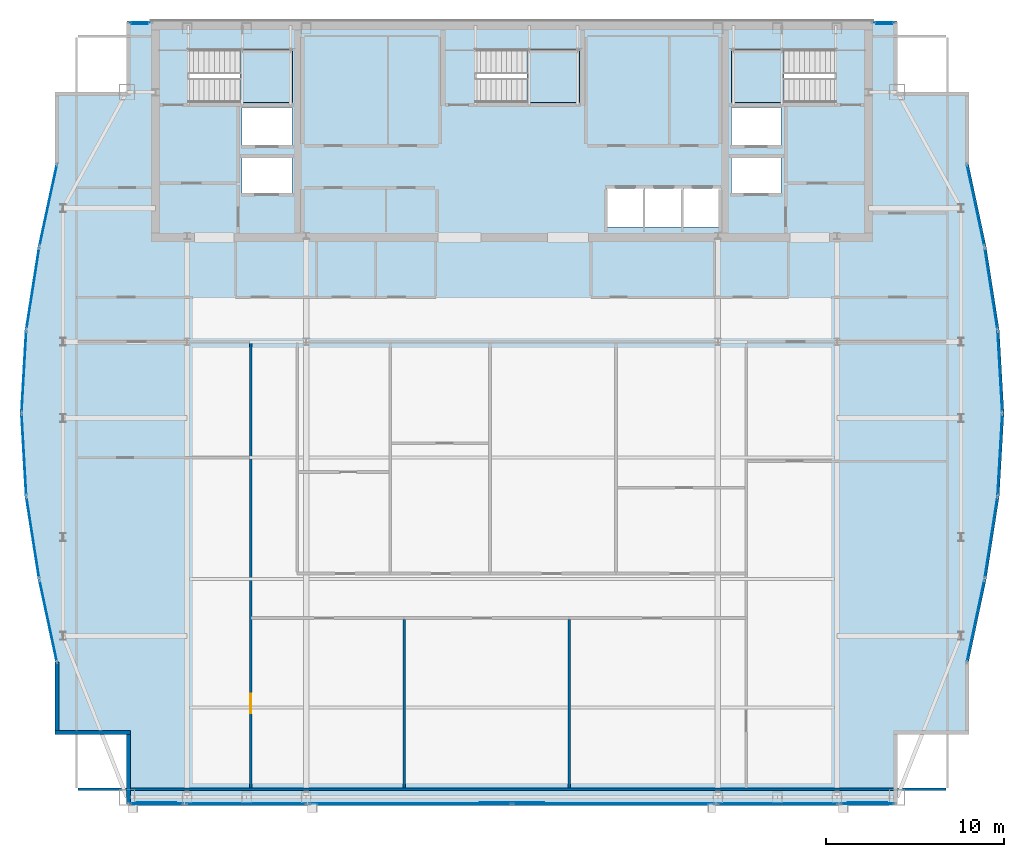
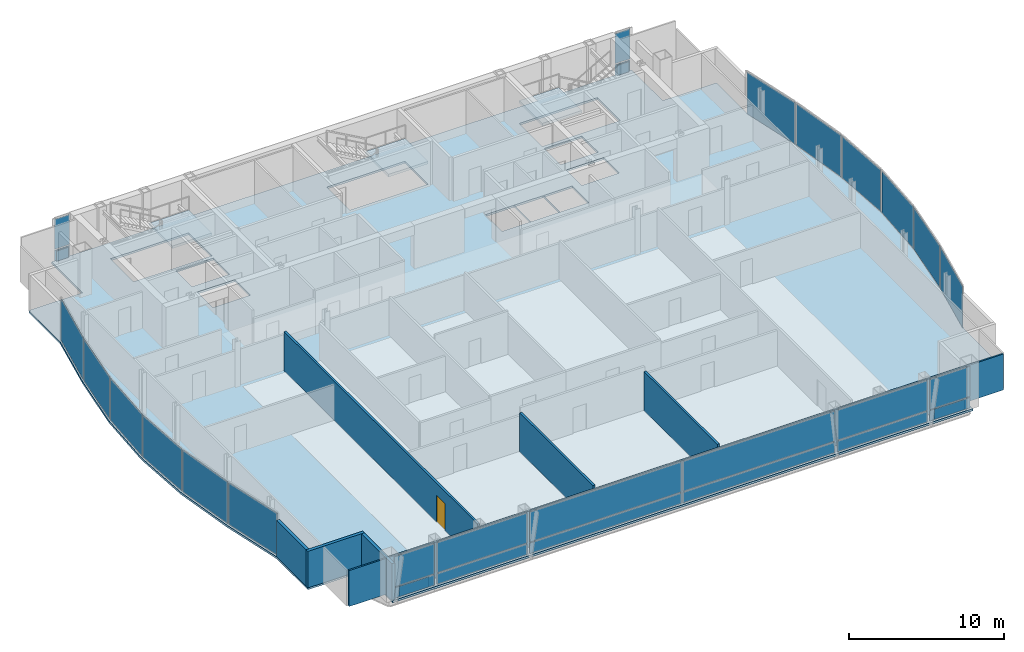
# One storey, part 23 of 29: 33 plates, 7 walls, 4 slabs, 1 door, 1 opening, 22 elements without a shape of their own.
"""IFC4 building model written with IfcOpenShell, lengths in metres."""

from ifc_helpers import new_model, si_unit, direction, frame, frame_2d, origin, origin_2d, place, context, subcontext, project, spatial, polyline, rectangle, outline, extrude, material, layer, layer_set, type_object, element, fill, aggregate, save


model = new_model("IFC4")

# Units and contexts
model_context = context("Model", 3, precision=1e-05, world=origin(), true_north=direction((0.0, 1.0)))
body_context = subcontext(model_context, "Body", "Model", "MODEL_VIEW")
ifc_project = project(units=[si_unit("LENGTHUNIT", "METRE"), si_unit("AREAUNIT", "SQUARE_METRE"), si_unit("VOLUMEUNIT", "CUBIC_METRE"), si_unit("PLANEANGLEUNIT", "RADIAN"), si_unit("MASSUNIT", "GRAM", prefix="KILO")], contexts=[model_context])

# Site, building, storey
site_placement = place(None, origin())
site = spatial("IfcSite", under=ifc_project, at=site_placement, CompositionType="ELEMENT")
building_placement = place(site_placement, origin())
building = spatial("IfcBuilding", under=site, at=building_placement, Name="Khoronbel Lancet Exchange", CompositionType="ELEMENT")
storey_placement = place(building_placement, frame((0.0, 0.0, 329.0)))
storey = spatial("IfcBuildingStorey", under=building, at=storey_placement, Name="L85", CompositionType="ELEMENT", Elevation=329.0)

# Curtain wall, plate
ifc_material_1 = material(Name="Low-E Solar Control Insulating Glass", Category="glass")
curtain_wall_type_1 = type_object("IfcCurtainWallType", Name="CW-4", PredefinedType="NOTDEFINED", material=ifc_material_1)
curtain_wall_1_placement = place(storey_placement, origin())
curtain_wall_1 = element("IfcCurtainWall", 1, at=curtain_wall_1_placement, inside=storey, type_object=curtain_wall_type_1, Name="Unitised curtain wall CW-L85-E05", PredefinedType="NOTDEFINED")
ifc_material_2 = material(Name="Bronze-Anodised Aluminium 6063-T6", Category="aluminium")
ifc_layer_1 = layer(ifc_material_2, 0.050048828125, Name="Bronze-Anodised Aluminium 6063-T6")
ifc_layer_set_1 = layer_set([ifc_layer_1], Name="Bronze-Anodised Aluminium 6063-T6")
plate_type_1 = type_object("IfcPlateType", Name="PLT-CSP1", PredefinedType="SHEET", material=ifc_layer_set_1)
plate_1_placement = place(storey_placement, frame((9.575927734375, 24.712890625, 0.0849609375), z_axis=(0.0, 0.0, 1.0), x_axis=(-0.154667919789, 0.987966514912, 0.0)))
plate_1 = element("IfcPlate", 2, at=plate_1_placement, type_object=plate_type_1, Name="CW4 panel 1.1", PredefinedType="CURTAIN_PANEL", context=body_context, shape_type="SweptSolid", body=[
    extrude(rectangle(XDim=4.566650390625, YDim=0.0380859375, at=origin_2d()), origin(), (0.0, 0.0, 1.0), 3.27001953125),
])
aggregate(curtain_wall_1, [plate_1])

curtain_wall_2_placement = place(storey_placement, origin())
curtain_wall_2 = element("IfcCurtainWall", 3, at=curtain_wall_2_placement, inside=storey, type_object=curtain_wall_type_1, Name="Unitised curtain wall CW-L85-E06", PredefinedType="NOTDEFINED")
plate_2_placement = place(storey_placement, frame((9.07763671875, 29.371337890625, 0.0849609375), z_axis=(0.0, 0.0, 1.0), x_axis=(-0.057216457355, 0.998361796649, 0.0)))
plate_2 = element("IfcPlate", 4, at=plate_2_placement, type_object=plate_type_1, Name="CW4 panel 1.1", PredefinedType="CURTAIN_PANEL", context=body_context, shape_type="SweptSolid", body=[
    extrude(rectangle(XDim=4.5146484375, YDim=0.0380859375, at=origin_2d()), origin(), (0.0, 0.0, 1.0), 3.27001953125),
])
aggregate(curtain_wall_2, [plate_2])

curtain_wall_3_placement = place(storey_placement, origin())
curtain_wall_3 = element("IfcCurtainWall", 5, at=curtain_wall_3_placement, inside=storey, type_object=curtain_wall_type_1, Name="Unitised curtain wall CW-L85-E07", PredefinedType="NOTDEFINED")
plate_3_placement = place(storey_placement, frame((9.07763671875, 34.028564453125, 0.0849609375), z_axis=(0.0, 0.0, 1.0), x_axis=(0.057216457355, 0.998361796649, 0.0)))
plate_3 = element("IfcPlate", 6, at=plate_3_placement, type_object=plate_type_1, Name="CW4 panel 1.1", PredefinedType="CURTAIN_PANEL", context=body_context, shape_type="SweptSolid", body=[
    extrude(rectangle(XDim=4.5146484375, YDim=0.0380859375, at=origin_2d()), origin(), (0.0, 0.0, 1.0), 3.27001953125),
])
aggregate(curtain_wall_3, [plate_3])

curtain_wall_4_placement = place(storey_placement, origin())
curtain_wall_4 = element("IfcCurtainWall", 7, at=curtain_wall_4_placement, inside=storey, type_object=curtain_wall_type_1, Name="Unitised curtain wall CW-L85-E08", PredefinedType="NOTDEFINED")
plate_4_placement = place(storey_placement, frame((9.575927734375, 38.68701171875, 0.0849609375), z_axis=(0.0, 0.0, 1.0), x_axis=(0.154667919789, 0.987966514912, 0.0)))
plate_4 = element("IfcPlate", 8, at=plate_4_placement, type_object=plate_type_1, Name="CW4 panel 1.1", PredefinedType="CURTAIN_PANEL", context=body_context, shape_type="SweptSolid", body=[
    extrude(rectangle(XDim=4.566650390625, YDim=0.0380859375, at=origin_2d()), origin(), (0.0, 0.0, 1.0), 3.27001953125),
])
aggregate(curtain_wall_4, [plate_4])

curtain_wall_type_2 = type_object("IfcCurtainWallType", Name="CW-3", PredefinedType="NOTDEFINED", material=ifc_material_1)
curtain_wall_5_placement = place(storey_placement, origin())
curtain_wall_5 = element("IfcCurtainWall", 9, at=curtain_wall_5_placement, inside=storey, type_object=curtain_wall_type_2, Name="Unitised curtain wall CW-L85-NWFLK", PredefinedType="NOTDEFINED")
plate_5_placement = place(storey_placement, frame((15.580078125, 53.550048828125, 0.0498046875), z_axis=(0.0, 0.0, 1.0), x_axis=(-1.0, 0.0, 0.0)))
plate_5 = element("IfcPlate", 10, at=plate_5_placement, type_object=plate_type_1, Name="Insulated bronze spandrel cassette CW-L85-NWFLK", PredefinedType="SHEET", context=body_context, shape_type="SweptSolid", body=[
    extrude(rectangle(XDim=0.89599609375, YDim=0.050048828125, at=origin_2d()), origin(), (0.0, 0.0, 1.0), 0.800048828125),
])

curtain_wall_6_placement = place(storey_placement, origin())
curtain_wall_6 = element("IfcCurtainWall", 11, at=curtain_wall_6_placement, inside=storey, type_object=curtain_wall_type_2, Name="Unitised curtain wall CW-L85-NEFLK", PredefinedType="NOTDEFINED")
plate_6_placement = place(storey_placement, frame((57.320068359375, 53.550048828125, 0.0498046875), z_axis=(0.0, 0.0, 1.0), x_axis=(-1.0, 0.0, 0.0)))
plate_6 = element("IfcPlate", 12, at=plate_6_placement, type_object=plate_type_1, Name="Insulated bronze spandrel cassette CW-L85-NEFLK", PredefinedType="SHEET", context=body_context, shape_type="SweptSolid", body=[
    extrude(rectangle(XDim=0.89599609375, YDim=0.050048828125, at=origin_2d()), origin(), (0.0, 0.0, 1.0), 0.800048828125),
])

curtain_wall_7_placement = place(storey_placement, origin())
curtain_wall_7 = element("IfcCurtainWall", 13, at=curtain_wall_7_placement, inside=storey, type_object=curtain_wall_type_1, Name="Unitised curtain wall CW-L85-E18", PredefinedType="NOTDEFINED")
plate_7_placement = place(storey_placement, frame((63.32421875, 38.68701171875, 0.0849609375), z_axis=(0.0, 0.0, 1.0), x_axis=(0.154667919789, -0.987966514912, 0.0)))
plate_7 = element("IfcPlate", 14, at=plate_7_placement, type_object=plate_type_1, Name="CW4 panel 1.1", PredefinedType="CURTAIN_PANEL", context=body_context, shape_type="SweptSolid", body=[
    extrude(rectangle(XDim=4.566650390625, YDim=0.0380859375, at=origin_2d()), origin(), (0.0, 0.0, 1.0), 3.27001953125),
])
aggregate(curtain_wall_7, [plate_7])

curtain_wall_8_placement = place(storey_placement, origin())
curtain_wall_8 = element("IfcCurtainWall", 15, at=curtain_wall_8_placement, inside=storey, type_object=curtain_wall_type_1, Name="Unitised curtain wall CW-L85-E19", PredefinedType="NOTDEFINED")
plate_8_placement = place(storey_placement, frame((63.822265625, 34.028564453125, 0.0849609375), z_axis=(0.0, 0.0, 1.0), x_axis=(0.057216457355, -0.998361796649, 0.0)))
plate_8 = element("IfcPlate", 16, at=plate_8_placement, type_object=plate_type_1, Name="CW4 panel 1.1", PredefinedType="CURTAIN_PANEL", context=body_context, shape_type="SweptSolid", body=[
    extrude(rectangle(XDim=4.5146484375, YDim=0.0380859375, at=origin_2d()), origin(), (0.0, 0.0, 1.0), 3.27001953125),
])
aggregate(curtain_wall_8, [plate_8])

curtain_wall_9_placement = place(storey_placement, origin())
curtain_wall_9 = element("IfcCurtainWall", 17, at=curtain_wall_9_placement, inside=storey, type_object=curtain_wall_type_1, Name="Unitised curtain wall CW-L85-E20", PredefinedType="NOTDEFINED")
plate_9_placement = place(storey_placement, frame((63.822265625, 29.371337890625, 0.0849609375), z_axis=(0.0, 0.0, 1.0), x_axis=(-0.057216457355, -0.998361796649, 0.0)))
plate_9 = element("IfcPlate", 18, at=plate_9_placement, type_object=plate_type_1, Name="CW4 panel 1.1", PredefinedType="CURTAIN_PANEL", context=body_context, shape_type="SweptSolid", body=[
    extrude(rectangle(XDim=4.5146484375, YDim=0.0380859375, at=origin_2d()), origin(), (0.0, 0.0, 1.0), 3.27001953125),
])
aggregate(curtain_wall_9, [plate_9])

curtain_wall_10_placement = place(storey_placement, origin())
curtain_wall_10 = element("IfcCurtainWall", 19, at=curtain_wall_10_placement, inside=storey, type_object=curtain_wall_type_1, Name="Unitised curtain wall CW-L85-E21", PredefinedType="NOTDEFINED")
plate_10_placement = place(storey_placement, frame((63.32421875, 24.712890625, 0.0849609375), z_axis=(0.0, 0.0, 1.0), x_axis=(-0.154667919789, -0.987966514912, 0.0)))
plate_10 = element("IfcPlate", 20, at=plate_10_placement, type_object=plate_type_1, Name="CW4 panel 1.1", PredefinedType="CURTAIN_PANEL", context=body_context, shape_type="SweptSolid", body=[
    extrude(rectangle(XDim=4.566650390625, YDim=0.0380859375, at=origin_2d()), origin(), (0.0, 0.0, 1.0), 3.27001953125),
])
aggregate(curtain_wall_10, [plate_10])

curtain_wall_11_placement = place(storey_placement, origin())
curtain_wall_11 = element("IfcCurtainWall", 21, at=curtain_wall_11_placement, inside=storey, type_object=curtain_wall_type_2, Name="Unitised curtain wall CW-L85-SWV", PredefinedType="NOTDEFINED")
plate_11_placement = place(storey_placement, frame((16.52001953125, 9.85009765625, 0.0498046875), z_axis=(0.0, 0.0, 1.0), x_axis=(1.0, 0.0, 0.0)))
plate_11 = element("IfcPlate", 22, at=plate_11_placement, type_object=plate_type_1, Name="Insulated bronze spandrel cassette CW-L85-SWV", PredefinedType="SHEET", context=body_context, shape_type="SweptSolid", body=[
    extrude(rectangle(XDim=2.2119140625, YDim=0.050048828125, at=origin_2d()), origin(), (0.0, 0.0, 1.0), 0.800048828125),
])

# Curtain wall, plates
curtain_wall_12_placement = place(storey_placement, origin())
curtain_wall_12 = element("IfcCurtainWall", 23, at=curtain_wall_12_placement, inside=storey, type_object=curtain_wall_type_2, Name="Unitised curtain wall CW-L85-SWB", PredefinedType="NOTDEFINED")
plate_12_placement = place(storey_placement, frame((21.550048828125, 9.7900390625, 0.0849609375), z_axis=(0.0, 0.0, 1.0), x_axis=(1.0, 0.0, 0.0)))
plate_12 = element("IfcPlate", 24, at=plate_12_placement, type_object=plate_type_1, Name="CW3 panel 1.1", PredefinedType="CURTAIN_PANEL", context=body_context, shape_type="SweptSolid", body=[
    extrude(rectangle(XDim=6.72998046875, YDim=0.0380859375, at=origin_2d()), origin(), (0.0, 0.0, 1.0), 0.822509765625),
])
plate_13_placement = place(storey_placement, frame((21.550048828125, 9.7900390625, 0.99267578125), z_axis=(0.0, 0.0, 1.0), x_axis=(1.0, 0.0, 0.0)))
plate_13 = element("IfcPlate", 25, at=plate_13_placement, type_object=plate_type_1, Name="CW3 panel 1.2", PredefinedType="CURTAIN_PANEL", context=body_context, shape_type="SweptSolid", body=[
    extrude(rectangle(XDim=6.72998046875, YDim=0.0380859375, at=origin_2d()), origin(), (0.0, 0.0, 1.0), 2.362548828125),
])
aggregate(curtain_wall_12, [plate_12, plate_13])

# Curtain wall, plate
curtain_wall_13_placement = place(storey_placement, origin())
curtain_wall_13 = element("IfcCurtainWall", 26, at=curtain_wall_13_placement, inside=storey, type_object=curtain_wall_type_2, Name="Unitised curtain wall CW-L85-SCV", PredefinedType="NOTDEFINED")
plate_14_placement = place(storey_placement, frame((36.449951171875, 9.85009765625, 0.0498046875), z_axis=(0.0, 0.0, 1.0), x_axis=(1.0, 0.0, 0.0)))
plate_14 = element("IfcPlate", 27, at=plate_14_placement, type_object=plate_type_1, Name="Insulated bronze spandrel cassette CW-L85-SCV", PredefinedType="SHEET", context=body_context, shape_type="SweptSolid", body=[
    extrude(rectangle(XDim=3.60009765625, YDim=0.050048828125, at=origin_2d()), origin(), (0.0, 0.0, 1.0), 0.800048828125),
])

# Curtain wall, plates
curtain_wall_14_placement = place(storey_placement, origin())
curtain_wall_14 = element("IfcCurtainWall", 28, at=curtain_wall_14_placement, inside=storey, type_object=curtain_wall_type_2, Name="Unitised curtain wall CW-L85-SEB", PredefinedType="NOTDEFINED")
plate_15_placement = place(storey_placement, frame((51.35009765625, 9.7900390625, 0.0849609375), z_axis=(0.0, 0.0, 1.0), x_axis=(1.0, 0.0, 0.0)))
plate_15 = element("IfcPlate", 29, at=plate_15_placement, type_object=plate_type_1, Name="CW3 panel 1.1", PredefinedType="CURTAIN_PANEL", context=body_context, shape_type="SweptSolid", body=[
    extrude(rectangle(XDim=6.72998046875, YDim=0.0380859375, at=origin_2d()), origin(), (0.0, 0.0, 1.0), 0.822509765625),
])
plate_16_placement = place(storey_placement, frame((51.35009765625, 9.7900390625, 0.99267578125), z_axis=(0.0, 0.0, 1.0), x_axis=(1.0, 0.0, 0.0)))
plate_16 = element("IfcPlate", 30, at=plate_16_placement, type_object=plate_type_1, Name="CW3 panel 1.2", PredefinedType="CURTAIN_PANEL", context=body_context, shape_type="SweptSolid", body=[
    extrude(rectangle(XDim=6.72998046875, YDim=0.0380859375, at=origin_2d()), origin(), (0.0, 0.0, 1.0), 2.362548828125),
])
aggregate(curtain_wall_14, [plate_15, plate_16])

# Curtain wall, plate
curtain_wall_15_placement = place(storey_placement, origin())
curtain_wall_15 = element("IfcCurtainWall", 31, at=curtain_wall_15_placement, inside=storey, type_object=curtain_wall_type_2, Name="Unitised curtain wall CW-L85-SEV", PredefinedType="NOTDEFINED")
plate_17_placement = place(storey_placement, frame((56.3798828125, 9.85009765625, 0.0498046875), z_axis=(0.0, 0.0, 1.0), x_axis=(1.0, 0.0, 0.0)))
plate_17 = element("IfcPlate", 32, at=plate_17_placement, type_object=plate_type_1, Name="Insulated bronze spandrel cassette CW-L85-SEV", PredefinedType="SHEET", context=body_context, shape_type="SweptSolid", body=[
    extrude(rectangle(XDim=2.2119140625, YDim=0.050048828125, at=origin_2d()), origin(), (0.0, 0.0, 1.0), 0.800048828125),
])

# Plate
ifc_layer_2 = layer(ifc_material_1, 0.035888671875, Name="Low-E Solar Control Insulating Glass")
ifc_layer_set_2 = layer_set([ifc_layer_2], Name="Low-E Solar Control Insulating Glass")
plate_type_2 = type_object("IfcPlateType", Name="PLT-CWP1", PredefinedType="CURTAIN_PANEL", material=ifc_layer_set_2)
plate_18_placement = place(storey_placement, frame((15.580078125, 53.610107421875, 0.0849609375), z_axis=(0.0, 0.0, 1.0), x_axis=(-1.0, 0.0, 0.0)))
plate_18 = element("IfcPlate", 33, at=plate_18_placement, type_object=plate_type_2, Name="CW3 panel 1.1", PredefinedType="CURTAIN_PANEL", context=body_context, shape_type="SweptSolid", body=[
    extrude(rectangle(XDim=1.110107421875, YDim=0.0380859375, at=origin_2d()), origin(), (0.0, 0.0, 1.0), 0.822509765625),
])

plate_19_placement = place(storey_placement, frame((15.580078125, 53.610107421875, 0.99267578125), z_axis=(0.0, 0.0, 1.0), x_axis=(-1.0, 0.0, 0.0)))
plate_19 = element("IfcPlate", 34, at=plate_19_placement, type_object=plate_type_2, Name="CW3 panel 1.2", PredefinedType="CURTAIN_PANEL", context=body_context, shape_type="SweptSolid", body=[
    extrude(rectangle(XDim=1.110107421875, YDim=0.0380859375, at=origin_2d()), origin(), (0.0, 0.0, 1.0), 2.362548828125),
])

aggregate(curtain_wall_5, [plate_18, plate_19, plate_5])

plate_20_placement = place(storey_placement, frame((57.320068359375, 53.610107421875, 0.0849609375), z_axis=(0.0, 0.0, 1.0), x_axis=(-1.0, 0.0, 0.0)))
plate_20 = element("IfcPlate", 35, at=plate_20_placement, type_object=plate_type_2, Name="CW3 panel 1.1", PredefinedType="CURTAIN_PANEL", context=body_context, shape_type="SweptSolid", body=[
    extrude(rectangle(XDim=1.110107421875, YDim=0.0380859375, at=origin_2d()), origin(), (0.0, 0.0, 1.0), 0.822509765625),
])

plate_21_placement = place(storey_placement, frame((57.320068359375, 53.610107421875, 0.99267578125), z_axis=(0.0, 0.0, 1.0), x_axis=(-1.0, 0.0, 0.0)))
plate_21 = element("IfcPlate", 36, at=plate_21_placement, type_object=plate_type_2, Name="CW3 panel 1.2", PredefinedType="CURTAIN_PANEL", context=body_context, shape_type="SweptSolid", body=[
    extrude(rectangle(XDim=1.110107421875, YDim=0.0380859375, at=origin_2d()), origin(), (0.0, 0.0, 1.0), 2.362548828125),
])

aggregate(curtain_wall_6, [plate_20, plate_21, plate_6])

plate_22_placement = place(storey_placement, frame((16.52001953125, 9.7900390625, 0.0849609375), z_axis=(0.0, 0.0, 1.0), x_axis=(1.0, 0.0, 0.0)))
plate_22 = element("IfcPlate", 37, at=plate_22_placement, type_object=plate_type_2, Name="CW3 panel 1.1", PredefinedType="CURTAIN_PANEL", context=body_context, shape_type="SweptSolid", body=[
    extrude(rectangle(XDim=2.989990234375, YDim=0.0380859375, at=origin_2d()), origin(), (0.0, 0.0, 1.0), 0.822509765625),
])

plate_23_placement = place(storey_placement, frame((16.52001953125, 9.7900390625, 0.99267578125), z_axis=(0.0, 0.0, 1.0), x_axis=(1.0, 0.0, 0.0)))
plate_23 = element("IfcPlate", 38, at=plate_23_placement, type_object=plate_type_2, Name="CW3 panel 1.2", PredefinedType="CURTAIN_PANEL", context=body_context, shape_type="SweptSolid", body=[
    extrude(rectangle(XDim=2.989990234375, YDim=0.0380859375, at=origin_2d()), origin(), (0.0, 0.0, 1.0), 2.362548828125),
])

aggregate(curtain_wall_11, [plate_22, plate_23, plate_11])

plate_24_placement = place(storey_placement, frame((30.746337890625, 9.7900390625, 0.0849609375), z_axis=(0.0, 0.0, 1.0), x_axis=(1.0, 0.0, 0.0)))
plate_24 = element("IfcPlate", 39, at=plate_24_placement, type_object=plate_type_2, Name="CW3 panel 1.1", PredefinedType="CURTAIN_PANEL", context=body_context, shape_type="SweptSolid", body=[
    extrude(rectangle(XDim=11.322509765625, YDim=0.0380859375, at=origin_2d()), origin(), (0.0, 0.0, 1.0), 0.822509765625),
])

plate_25_placement = place(storey_placement, frame((30.746337890625, 9.7900390625, 0.99267578125), z_axis=(0.0, 0.0, 1.0), x_axis=(1.0, 0.0, 0.0)))
plate_25 = element("IfcPlate", 40, at=plate_25_placement, type_object=plate_type_2, Name="CW3 panel 1.2", PredefinedType="CURTAIN_PANEL", context=body_context, shape_type="SweptSolid", body=[
    extrude(rectangle(XDim=11.322509765625, YDim=0.0380859375, at=origin_2d()), origin(), (0.0, 0.0, 1.0), 2.362548828125),
])

plate_26_placement = place(storey_placement, frame((42.15380859375, 9.7900390625, 0.0849609375), z_axis=(0.0, 0.0, 1.0), x_axis=(1.0, 0.0, 0.0)))
plate_26 = element("IfcPlate", 41, at=plate_26_placement, type_object=plate_type_2, Name="CW3 panel 2.1", PredefinedType="CURTAIN_PANEL", context=body_context, shape_type="SweptSolid", body=[
    extrude(rectangle(XDim=11.322509765625, YDim=0.0380859375, at=origin_2d()), origin(), (0.0, 0.0, 1.0), 0.822509765625),
])

plate_27_placement = place(storey_placement, frame((42.15380859375, 9.7900390625, 0.99267578125), z_axis=(0.0, 0.0, 1.0), x_axis=(1.0, 0.0, 0.0)))
plate_27 = element("IfcPlate", 42, at=plate_27_placement, type_object=plate_type_2, Name="CW3 panel 2.2", PredefinedType="CURTAIN_PANEL", context=body_context, shape_type="SweptSolid", body=[
    extrude(rectangle(XDim=11.322509765625, YDim=0.0380859375, at=origin_2d()), origin(), (0.0, 0.0, 1.0), 2.362548828125),
])

aggregate(curtain_wall_13, [plate_24, plate_25, plate_26, plate_27, plate_14])

plate_28_placement = place(storey_placement, frame((56.3798828125, 9.7900390625, 0.0849609375), z_axis=(0.0, 0.0, 1.0), x_axis=(1.0, 0.0, 0.0)))
plate_28 = element("IfcPlate", 43, at=plate_28_placement, type_object=plate_type_2, Name="CW3 panel 1.1", PredefinedType="CURTAIN_PANEL", context=body_context, shape_type="SweptSolid", body=[
    extrude(rectangle(XDim=2.989990234375, YDim=0.0380859375, at=origin_2d()), origin(), (0.0, 0.0, 1.0), 0.822509765625),
])

plate_29_placement = place(storey_placement, frame((56.3798828125, 9.7900390625, 0.99267578125), z_axis=(0.0, 0.0, 1.0), x_axis=(1.0, 0.0, 0.0)))
plate_29 = element("IfcPlate", 44, at=plate_29_placement, type_object=plate_type_2, Name="CW3 panel 1.2", PredefinedType="CURTAIN_PANEL", context=body_context, shape_type="SweptSolid", body=[
    extrude(rectangle(XDim=2.989990234375, YDim=0.0380859375, at=origin_2d()), origin(), (0.0, 0.0, 1.0), 2.362548828125),
])

aggregate(curtain_wall_15, [plate_28, plate_29, plate_17])

# Curtain wall, plate
curtain_wall_16_placement = place(storey_placement, origin())
curtain_wall_16 = element("IfcCurtainWall", 45, at=curtain_wall_16_placement, inside=storey, type_object=curtain_wall_type_1, Name="Unitised curtain wall CW-L85-E04", PredefinedType="NOTDEFINED")
ifc_material_3 = material(Name="Ceramic-Fritted Laminated Insulating Glass", Category="glass")
ifc_layer_3 = layer(ifc_material_3, 0.0419921875, Name="Ceramic-Fritted Laminated Insulating Glass")
ifc_layer_set_3 = layer_set([ifc_layer_3], Name="Ceramic-Fritted Laminated Insulating Glass")
plate_type_3 = type_object("IfcPlateType", Name="PLT-CWP2", PredefinedType="CURTAIN_PANEL", material=ifc_layer_set_3)
plate_30_placement = place(storey_placement, frame((10.440185546875, 20.04638671875, 0.0849609375), z_axis=(0.0, 0.0, 1.0), x_axis=(-0.209111819739, 0.977891735749, 0.0)))
plate_30 = element("IfcPlate", 46, at=plate_30_placement, type_object=plate_type_3, Name="CW4 panel 1.1", PredefinedType="CURTAIN_PANEL", context=body_context, shape_type="SweptSolid", body=[
    extrude(rectangle(XDim=4.629150390625, YDim=0.0380859375, at=origin_2d()), origin(), (0.0, 0.0, 1.0), 3.27001953125),
])
aggregate(curtain_wall_16, [plate_30])

curtain_wall_17_placement = place(storey_placement, origin())
curtain_wall_17 = element("IfcCurtainWall", 47, at=curtain_wall_17_placement, inside=storey, type_object=curtain_wall_type_1, Name="Unitised curtain wall CW-L85-E09", PredefinedType="NOTDEFINED")
plate_31_placement = place(storey_placement, frame((10.440185546875, 43.353759765625, 0.0849609375), z_axis=(0.0, 0.0, 1.0), x_axis=(0.209111819739, 0.977891735749, 0.0)))
plate_31 = element("IfcPlate", 48, at=plate_31_placement, type_object=plate_type_3, Name="CW4 panel 1.1", PredefinedType="CURTAIN_PANEL", context=body_context, shape_type="SweptSolid", body=[
    extrude(rectangle(XDim=4.629150390625, YDim=0.0380859375, at=origin_2d()), origin(), (0.0, 0.0, 1.0), 3.27001953125),
])
aggregate(curtain_wall_17, [plate_31])

curtain_wall_18_placement = place(storey_placement, origin())
curtain_wall_18 = element("IfcCurtainWall", 49, at=curtain_wall_18_placement, inside=storey, type_object=curtain_wall_type_1, Name="Unitised curtain wall CW-L85-E17", PredefinedType="NOTDEFINED")
plate_32_placement = place(storey_placement, frame((62.459716796875, 43.353759765625, 0.0849609375), z_axis=(0.0, 0.0, 1.0), x_axis=(0.209111819739, -0.977891735749, 0.0)))
plate_32 = element("IfcPlate", 50, at=plate_32_placement, type_object=plate_type_3, Name="CW4 panel 1.1", PredefinedType="CURTAIN_PANEL", context=body_context, shape_type="SweptSolid", body=[
    extrude(rectangle(XDim=4.629150390625, YDim=0.0380859375, at=origin_2d()), origin(), (0.0, 0.0, 1.0), 3.27001953125),
])
aggregate(curtain_wall_18, [plate_32])

curtain_wall_19_placement = place(storey_placement, origin())
curtain_wall_19 = element("IfcCurtainWall", 51, at=curtain_wall_19_placement, inside=storey, type_object=curtain_wall_type_1, Name="Unitised curtain wall CW-L85-E22", PredefinedType="NOTDEFINED")
plate_33_placement = place(storey_placement, frame((62.459716796875, 20.04638671875, 0.0849609375), z_axis=(0.0, 0.0, 1.0), x_axis=(-0.209111819739, -0.977891735749, 0.0)))
plate_33 = element("IfcPlate", 52, at=plate_33_placement, type_object=plate_type_3, Name="CW4 panel 1.1", PredefinedType="CURTAIN_PANEL", context=body_context, shape_type="SweptSolid", body=[
    extrude(rectangle(XDim=4.629150390625, YDim=0.0380859375, at=origin_2d()), origin(), (0.0, 0.0, 1.0), 3.27001953125),
])
aggregate(curtain_wall_19, [plate_33])

# Slab
ifc_material_4 = material(Name="Concrete C40/50", Category="concrete")
ifc_layer_4 = layer(ifc_material_4, 0.159912109375, Name="Concrete C40/50")
ifc_layer_set_4 = layer_set([ifc_layer_4], Name="Concrete C40/50")
slab_type_1 = type_object("IfcSlabType", Name="SL-FL160", PredefinedType="FLOOR", material=ifc_layer_set_4)
slab_1_placement = place(storey_placement, frame((0.0, 0.0, -0.159912109375)))
element("IfcSlab", 53, at=slab_1_placement, inside=storey, type_object=slab_type_1, Name="Level L85 composite structural floor slab", PredefinedType="FLOOR", context=body_context, shape_type="SweptSolid", body=[
    extrude(outline(polyline([(14.85009765625, 9.699951171875), (58.050048828125, 9.699951171875), (58.050048828125, 13.699951171875), (62.050048828125, 13.699951171875), (62.050048828125, 17.699951171875), (63.0478515625, 22.36669921875), (63.778564453125, 27.033203125), (64.0458984375, 31.699951171875), (63.778564453125, 36.36669921875), (63.0478515625, 41.033203125), (62.050048828125, 45.699951171875), (62.050048828125, 49.699951171875), (58.050048828125, 49.699951171875), (58.050048828125, 53.699951171875), (14.85009765625, 53.699951171875), (14.85009765625, 49.699951171875), (10.85009765625, 49.699951171875), (10.85009765625, 45.699951171875), (9.85205078125, 41.033203125), (9.12158203125, 36.36669921875), (8.85400390625, 31.699951171875), (9.12158203125, 27.033203125), (9.85205078125, 22.36669921875), (10.85009765625, 17.699951171875), (10.85009765625, 13.699951171875), (14.85009765625, 13.699951171875), (14.85009765625, 9.699951171875)]), holes=[polyline([(18.324951171875, 49.1201171875), (24.14990234375, 49.1201171875), (24.14990234375, 52.10009765625), (18.324951171875, 52.10009765625), (18.324951171875, 49.1201171875)]), polyline([(48.75, 49.1201171875), (54.574951171875, 49.1201171875), (54.574951171875, 52.10009765625), (48.75, 52.10009765625), (48.75, 49.1201171875)]), polyline([(34.425048828125, 49.1201171875), (40.25, 49.1201171875), (40.25, 52.10009765625), (34.425048828125, 52.10009765625), (34.425048828125, 49.1201171875)]), polyline([(41.739990234375, 42.14990234375), (43.8798828125, 42.14990234375), (43.8798828125, 44.300048828125), (41.739990234375, 44.300048828125), (41.739990234375, 42.14990234375)]), polyline([(43.89990234375, 42.14990234375), (46.0400390625, 42.14990234375), (46.0400390625, 44.300048828125), (43.89990234375, 44.300048828125), (43.89990234375, 42.14990234375)]), polyline([(46.06005859375, 42.14990234375), (48.199951171875, 42.14990234375), (48.199951171875, 44.300048828125), (46.06005859375, 44.300048828125), (46.06005859375, 42.14990234375)]), polyline([(21.300048828125, 46.75), (24.10009765625, 46.75), (24.10009765625, 48.85009765625), (21.300048828125, 48.85009765625), (21.300048828125, 46.75)]), polyline([(48.75, 46.75), (51.550048828125, 46.75), (51.550048828125, 48.85009765625), (48.75, 48.85009765625), (48.75, 46.75)]), polyline([(21.300048828125, 44.050048828125), (24.10009765625, 44.050048828125), (24.10009765625, 46.050048828125), (21.300048828125, 46.050048828125), (21.300048828125, 44.050048828125)]), polyline([(48.75, 44.050048828125), (51.550048828125, 44.050048828125), (51.550048828125, 46.050048828125), (48.75, 46.050048828125), (48.75, 44.050048828125)])]), origin(), (0.0, 0.0, 1.0), 0.159912109375),
])

# Stair, slab
stair_type = type_object("IfcStairType", Name="STR-CORE150", PredefinedType="HALF_TURN_STAIR", material=ifc_material_4)
stair_1_placement = place(storey_placement, origin())
stair_1 = element("IfcStair", 54, at=stair_1_placement, inside=storey, type_object=stair_type, Name="L85 Protected Exit Stair ST1", PredefinedType="HALF_TURN_STAIR")
ifc_layer_5 = layer(ifc_material_4, 0.199951171875, Name="Concrete C40/50")
ifc_layer_set_5 = layer_set([ifc_layer_5], Name="Concrete C40/50")
slab_type_2 = type_object("IfcSlabType", Name="SL-LND180", PredefinedType="LANDING", material=ifc_layer_set_5)
slab_2_placement = place(storey_placement, frame((0.0, 0.0, 1.60009765625)))
slab_2 = element("IfcSlab", 55, at=slab_2_placement, type_object=slab_type_2, Name="ST1 landing 1", PredefinedType="LANDING", context=body_context, shape_type="SweptSolid", body=[
    extrude(outline(polyline([(21.199951171875, 49.1201171875), (24.14990234375, 49.1201171875), (24.14990234375, 52.10009765625), (21.199951171875, 52.10009765625), (21.199951171875, 49.1201171875)])), origin(), (0.0, 0.0, 1.0), 0.199951171875),
])
aggregate(stair_1, [slab_2])

stair_2_placement = place(storey_placement, origin())
stair_2 = element("IfcStair", 56, at=stair_2_placement, inside=storey, type_object=stair_type, Name="L85 Protected Exit Stair ST2", PredefinedType="HALF_TURN_STAIR")
slab_3_placement = place(storey_placement, frame((0.0, 0.0, 1.60009765625)))
slab_3 = element("IfcSlab", 57, at=slab_3_placement, type_object=slab_type_2, Name="ST2 landing 1", PredefinedType="LANDING", context=body_context, shape_type="SweptSolid", body=[
    extrude(outline(polyline([(51.699951171875, 52.10009765625), (48.75, 52.10009765625), (48.75, 49.1201171875), (51.699951171875, 49.1201171875), (51.699951171875, 52.10009765625)])), origin(), (0.0, 0.0, 1.0), 0.199951171875),
])
aggregate(stair_2, [slab_3])

stair_3_placement = place(storey_placement, origin())
stair_3 = element("IfcStair", 58, at=stair_3_placement, inside=storey, type_object=stair_type, Name="L85 Protected Exit Stair ST3", PredefinedType="HALF_TURN_STAIR")
slab_4_placement = place(storey_placement, frame((0.0, 0.0, 1.60009765625)))
slab_4 = element("IfcSlab", 59, at=slab_4_placement, type_object=slab_type_2, Name="ST3 landing 1", PredefinedType="LANDING", context=body_context, shape_type="SweptSolid", body=[
    extrude(outline(polyline([(37.300048828125, 49.1201171875), (40.25, 49.1201171875), (40.25, 52.10009765625), (37.300048828125, 52.10009765625), (37.300048828125, 49.1201171875)])), origin(), (0.0, 0.0, 1.0), 0.199951171875),
])
aggregate(stair_3, [slab_4])

# Walls
ifc_material_5 = material(Name="Precast concrete C40/50", Category="concrete")
ifc_layer_6 = layer(ifc_material_5, 0.25, Name="Precast concrete C40/50")
ifc_layer_set_6 = layer_set([ifc_layer_6], Name="Precast concrete C40/50")
wall_type_1 = type_object("IfcWallType", Name="WL-EXT250", PredefinedType="SOLIDWALL", material=ifc_layer_set_6)
wall_1_placement = place(storey_placement, frame((14.93994140625, 9.77001953125, 0.0), z_axis=(0.0, 0.0, 1.0), x_axis=(0.0, 1.0, 0.0)))
element("IfcWall", 60, at=wall_1_placement, inside=storey, type_object=wall_type_1, Name="Level L85 notched-corner limestone pier 01", PredefinedType="SOLIDWALL", context=body_context, shape_type="SweptSolid", body=[
    extrude(rectangle(XDim=3.909912109375, YDim=0.219970703125, at=frame_2d((1.955078125, 0.0))), origin(), (0.0, 0.0, 1.0), 2.8798828125),
])
wall_2_placement = place(storey_placement, frame((15.050048828125, 13.7900390625, 0.0), z_axis=(0.0, 0.0, 1.0), x_axis=(-1.0, 0.0, 0.0)))
element("IfcWall", 61, at=wall_2_placement, inside=storey, type_object=wall_type_1, Name="Level L85 notched-corner limestone pier 02", PredefinedType="SOLIDWALL", context=body_context, shape_type="SweptSolid", body=[
    extrude(rectangle(XDim=4.219970703125, YDim=0.219970703125, at=frame_2d((2.10986328125, 0.0))), origin(), (0.0, 0.0, 1.0), 2.8798828125),
])
wall_3_placement = place(storey_placement, frame((10.93994140625, 13.89990234375, 0.0), z_axis=(0.0, 0.0, 1.0), x_axis=(0.0, 1.0, 0.0)))
element("IfcWall", 62, at=wall_3_placement, inside=storey, type_object=wall_type_1, Name="Level L85 notched-corner limestone pier 03", PredefinedType="SOLIDWALL", context=body_context, shape_type="SweptSolid", body=[
    extrude(rectangle(XDim=3.82958984375, YDim=0.219970703125, at=frame_2d((1.914794921875, 0.0))), origin(), (0.0, 0.0, 1.0), 2.8798828125),
])
ifc_material_6 = material(Name="Acoustic Metal-Stud & Mineral-Wool Gypsum Partition 120 mm", Category="gypsum")
ifc_layer_7 = layer(ifc_material_6, 0.1201171875, Name="Acoustic Metal-Stud & Mineral-Wool Gypsum Partition 120 mm")
ifc_layer_set_7 = layer_set([ifc_layer_7], Name="Acoustic Metal-Stud & Mineral-Wool Gypsum Partition 120 mm")
wall_type_2 = type_object("IfcWallType", Name="WL-PRT120", PredefinedType="PARTITIONING", material=ifc_layer_set_7)
wall_4_placement = place(storey_placement, frame((12.094970703125, 10.60009765625, 0.0), z_axis=(0.0, 0.0, 1.0), x_axis=(1.0, 0.0, 0.0)))
element("IfcWall", 63, at=wall_4_placement, inside=storey, type_object=wall_type_2, Name="Level L85 interior partition PW-LIN-S", PredefinedType="PARTITIONING", context=body_context, shape_type="SweptSolid", body=[
    extrude(rectangle(XDim=48.7099609375, YDim=0.1201171875, at=frame_2d((24.35498046875, 0.0))), origin(), (0.0, 0.0, 1.0), 2.830078125),
])

# Wall, opening, door
ifc_material_7 = material(Name="Fire-Rated Twin-Stud Acoustic Gypsum Partition 150 mm", Category="gypsum")
ifc_layer_8 = layer(ifc_material_7, 0.14990234375, Name="Fire-Rated Twin-Stud Acoustic Gypsum Partition 150 mm")
ifc_layer_set_8 = layer_set([ifc_layer_8], Name="Fire-Rated Twin-Stud Acoustic Gypsum Partition 150 mm")
wall_type_3 = type_object("IfcWallType", Name="WL-PRT150C", PredefinedType="PARTITIONING", material=ifc_layer_set_8)
wall_5_placement = place(storey_placement, frame((21.800048828125, 10.6650390625, 0.0), z_axis=(0.0, 0.0, 1.0), x_axis=(0.0, 1.0, 0.0)))
wall_5 = element("IfcWall", 64, at=wall_5_placement, inside=storey, type_object=wall_type_3, Name="Level L85 interior partition PW-Z4-WW", PredefinedType="PARTITIONING", context=body_context, shape_type="SweptSolid", body=[
    extrude(rectangle(XDim=24.955078125, YDim=0.14990234375, at=frame_2d((12.4775390625, 0.0))), origin(), (0.0, 0.0, 1.0), 3.070068359375),
])
opening_placement = place(wall_5_placement, frame((4.199951171875, 0.0, 0.0)))
opening = element("IfcOpeningElement", 65, at=opening_placement, cuts=wall_5, Name="Opening D6", PredefinedType="OPENING", context=body_context, shape_type="SweptSolid", body=[
    extrude(rectangle(XDim=1.10009765625, YDim=2.10009765625, at=frame_2d((0.550048828125, 1.050048828125))), frame((0.0, 0.0849609375, 0.0), z_axis=(0.0, -1.0, 0.0), x_axis=(1.0, 0.0, 0.0)), (0.0, 0.0, 1.0), 0.169921875),
])
ifc_material_8 = material(Name="Acoustic Bronze-Veneer Executive Suite Door", Category="wood")
door_type = type_object("IfcDoorType", Name="DR-D6", OperationType="NOTDEFINED", PredefinedType="DOOR", material=ifc_material_8)
door_placement = place(opening_placement, origin())
door = element("IfcDoor", 66, at=door_placement, inside=storey, type_object=door_type, Name="West lens presidential door L85-1", OperationType="SINGLE_SWING_LEFT", OverallHeight=2.10009765625, OverallWidth=1.10009765625, PredefinedType="DOOR", context=body_context, shape_type="SweptSolid", body=[
    extrude(rectangle(XDim=1.10009765625, YDim=2.10009765625, at=frame_2d((0.550048828125, 1.050048828125))), frame((0.0, 0.02490234375, 0.0), z_axis=(0.0, -1.0, 0.0), x_axis=(1.0, 0.0, 0.0)), (0.0, 0.0, 1.0), 0.050048828125),
])
fill(opening, door)

# Walls
for number, where, z_axis, x_axis, name in (
    (67, (30.398681640625, 10.6650390625, 0.0), (0.0, 0.0, 1.0), (0.0, 1.0, 0.0), "Level L85 interior partition PW-Z4S-V1"),
    (68, (39.65869140625, 10.6650390625, 0.0), (0.0, 0.0, 1.0), (0.0, 1.0, 0.0), "Level L85 interior partition PW-Z4S-V2"),
):
    element("IfcWall", number, at=place(storey_placement, frame(where, z_axis=z_axis, x_axis=x_axis)), inside=storey, type_object=wall_type_3, Name=name, PredefinedType="PARTITIONING", context=body_context, shape_type="SweptSolid", body=[
        extrude(rectangle(XDim=9.449951171875, YDim=0.14990234375, at=frame_2d((4.72509765625, 0.0))), origin(), (0.0, 0.0, 1.0), 3.070068359375),
    ])

save(model, "model.ifc")
